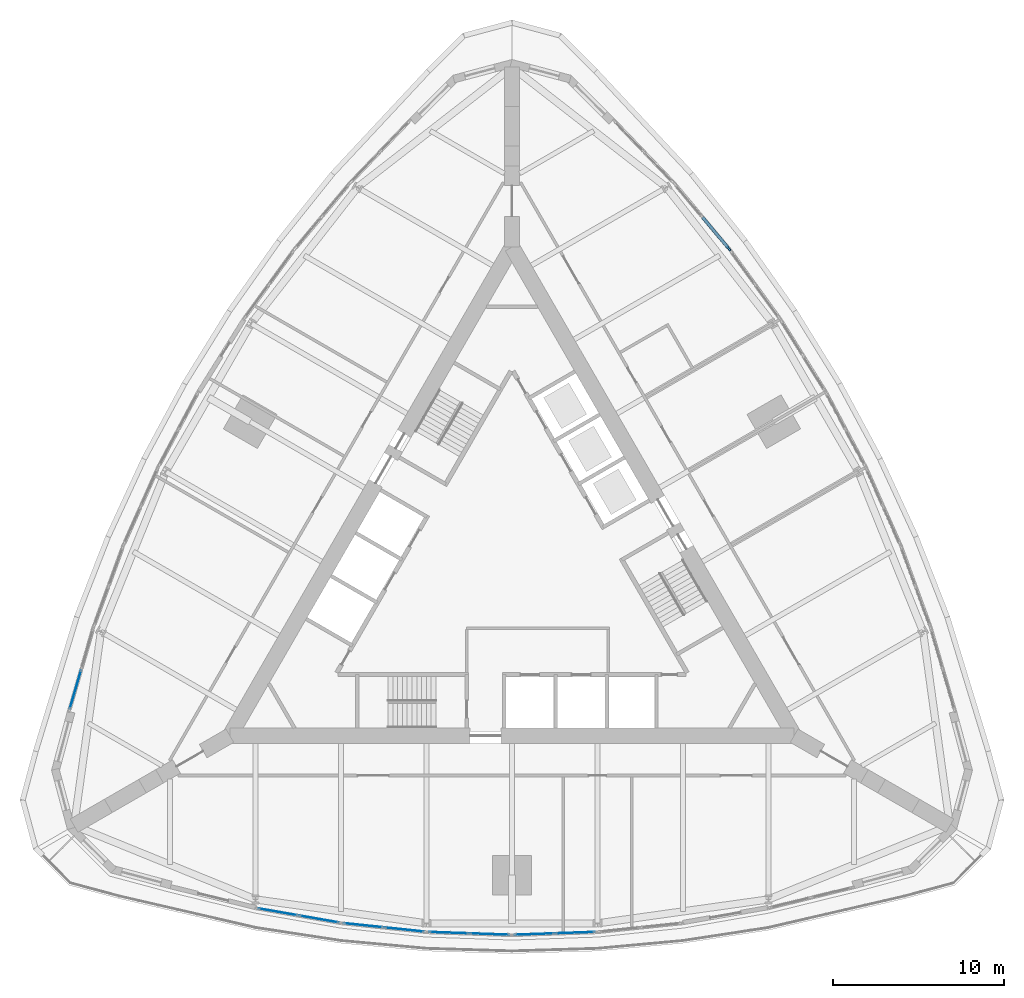
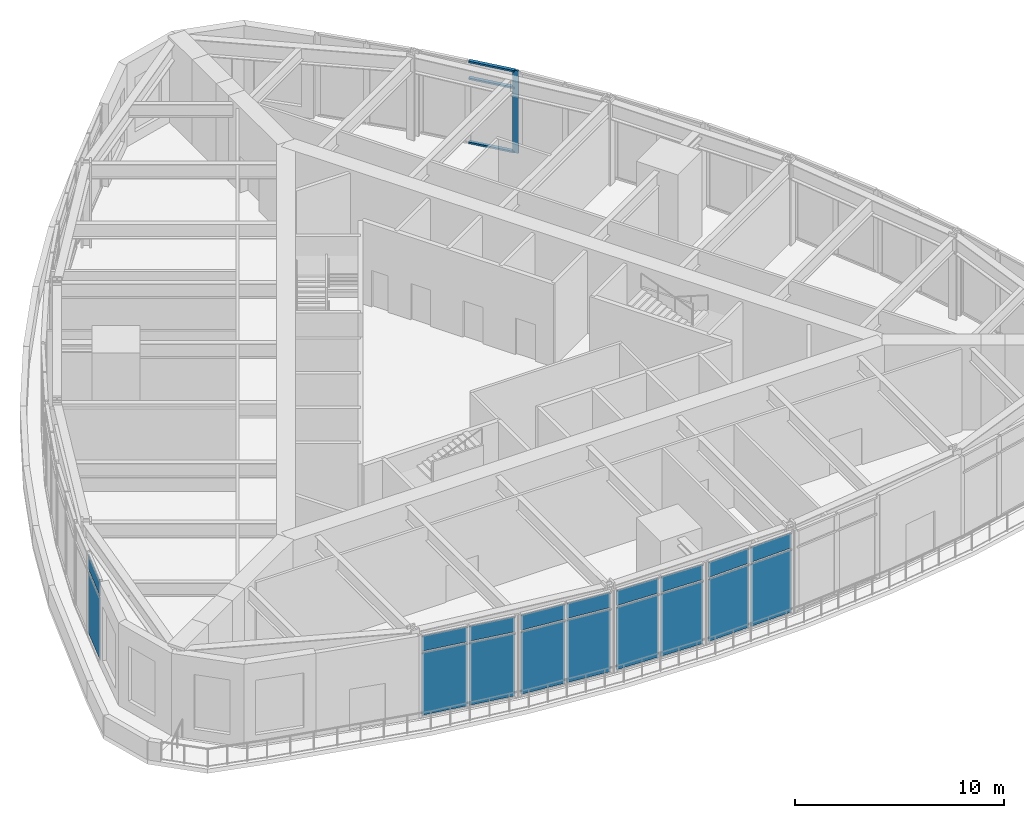
# One storey, part 6 of 14: 18 plates, 4 members, 6 elements without a shape of their own.
"""IFC4 building model written with IfcOpenShell, lengths in metres."""

from ifc_helpers import new_model, si_unit, direction, frame, origin, origin_2d, place, context, subcontext, project, spatial, rectangle, extrude, material, layer, layer_set, material_profile, profile_set, type_object, element, aggregate, save


model = new_model("IFC4")

# Units and contexts
model_context = context("Model", 3, precision=1e-05, world=origin(), true_north=direction((0.0, 1.0)))
body_context = subcontext(model_context, "Body", "Model", "MODEL_VIEW")
ifc_project = project(units=[si_unit("LENGTHUNIT", "METRE"), si_unit("AREAUNIT", "SQUARE_METRE"), si_unit("VOLUMEUNIT", "CUBIC_METRE"), si_unit("PLANEANGLEUNIT", "RADIAN"), si_unit("MASSUNIT", "GRAM", prefix="KILO")], contexts=[model_context])

# Site, building, storey
site_placement = place(None, origin())
site = spatial("IfcSite", under=ifc_project, at=site_placement, CompositionType="ELEMENT")
building_placement = place(site_placement, origin())
building = spatial("IfcBuilding", under=site, at=building_placement, Name="Trikona Tower", CompositionType="ELEMENT")
storey_placement = place(building_placement, frame((0.0, 0.0, 109.699951171875)))
storey = spatial("IfcBuildingStorey", under=building, at=storey_placement, Name="L28", CompositionType="ELEMENT", Elevation=109.699951171875)

# Curtain wall, members
ifc_material_1 = material(Name="Aluminium curtain wall system", Category="aluminium")
curtain_wall_type = type_object("IfcCurtainWallType", Name="Curtain wall SL", PredefinedType="NOTDEFINED", material=ifc_material_1)
curtain_wall_1_placement = place(storey_placement, origin())
curtain_wall_1 = element("IfcCurtainWall", 1, at=curtain_wall_1_placement, inside=storey, type_object=curtain_wall_type, Name="Curtain wall SL L28", PredefinedType="NOTDEFINED")
ifc_material_2 = material(Name="Aluminium mullion, pale anodised", Category="aluminium")
ifc_material_profile_1 = material_profile(ifc_material_2, rectangle(XDim=0.10009765625, YDim=0.300048828125, at=origin_2d()), Name="MUL-SL")
ifc_profile_set_1 = profile_set([ifc_material_profile_1], Name="Aluminium mullion, pale anodised")
member_type_1 = type_object("IfcMemberType", Name="Mullion SL 100x300", PredefinedType="MULLION", material=ifc_profile_set_1)
member_1_placement = place(storey_placement, frame((12.67138671875, 18.968017578125, 0.0), z_axis=(0.0, 0.0, 1.0), x_axis=(-0.766866678271, -0.641806433248, 0.0)))
member_1 = element("IfcMember", 2, at=member_1_placement, type_object=member_type_1, Name="CW-SL mullion 1", PredefinedType="MULLION", context=body_context, shape_type="SweptSolid", body=[
    extrude(rectangle(XDim=0.10009765625, YDim=0.300048828125, at=origin_2d()), origin(), (0.0, 0.0, 1.0), 4.8349609375),
])
ifc_material_3 = material(Name="Aluminium transom, pale anodised", Category="aluminium")
ifc_material_profile_2 = material_profile(ifc_material_3, rectangle(XDim=0.179931640625, YDim=0.10009765625, at=origin_2d()), Name="TRN-SL")
ifc_profile_set_2 = profile_set([ifc_material_profile_2], Name="Aluminium transom, pale anodised")
member_type_2 = type_object("IfcMemberType", Name="Transom SL 100x180", PredefinedType="USERDEFINED", material=ifc_profile_set_2)
member_2_placement = place(storey_placement, frame((12.639404296875, 19.00634765625, 0.050048828125), z_axis=(-0.64178179468, 0.76688729812, 0.0), x_axis=(-0.76688729812, -0.64178179468, 0.0)))
member_2 = element("IfcMember", 3, at=member_2_placement, type_object=member_type_2, Name="CW-SL transom 1.1", ObjectType="TRANSOM", PredefinedType="USERDEFINED", context=body_context, shape_type="SweptSolid", body=[
    extrude(rectangle(XDim=0.179931640625, YDim=0.10009765625, at=origin_2d()), origin(), (0.0, 0.0, 1.0), 2.328125),
])
member_3_placement = place(storey_placement, frame((12.639404296875, 19.00634765625, 3.800048828125), z_axis=(-0.64178179468, 0.76688729812, 0.0), x_axis=(-0.76688729812, -0.64178179468, 0.0)))
member_3 = element("IfcMember", 4, at=member_3_placement, type_object=member_type_2, Name="CW-SL transom 1.2", ObjectType="TRANSOM", PredefinedType="USERDEFINED", context=body_context, shape_type="SweptSolid", body=[
    extrude(rectangle(XDim=0.179931640625, YDim=0.10009765625, at=origin_2d()), origin(), (0.0, 0.0, 1.0), 2.328125),
])
member_4_placement = place(storey_placement, frame((12.639404296875, 19.00634765625, 4.78515625), z_axis=(-0.64178179468, 0.76688729812, 0.0), x_axis=(-0.76688729812, -0.64178179468, 0.0)))
member_4 = element("IfcMember", 5, at=member_4_placement, type_object=member_type_2, Name="CW-SL transom 1.3", ObjectType="TRANSOM", PredefinedType="USERDEFINED", context=body_context, shape_type="SweptSolid", body=[
    extrude(rectangle(XDim=0.179931640625, YDim=0.10009765625, at=origin_2d()), origin(), (0.0, 0.0, 1.0), 2.328125),
])
aggregate(curtain_wall_1, [member_1, member_2, member_3, member_4])

# Curtain wall, plates
curtain_wall_2_placement = place(storey_placement, origin())
curtain_wall_2 = element("IfcCurtainWall", 6, at=curtain_wall_2_placement, inside=storey, type_object=curtain_wall_type, Name="Curtain wall SL L28", PredefinedType="NOTDEFINED")
ifc_material_4 = material(Name="Clear insulating glass unit", Category="glass")
ifc_layer = layer(ifc_material_4, 0.028076171875)
ifc_layer_set = layer_set([ifc_layer], Name="Glass panel SL")
plate_type = type_object("IfcPlateType", Name="Glass panel SL", PredefinedType="CURTAIN_PANEL", material=ifc_layer_set)
plate_1_placement = place(storey_placement, frame((-13.6787109375, -19.829833984375, 0.10009765625), z_axis=(0.0, 0.0, 1.0), x_axis=(0.98502755479, -0.172396973012, 0.0)))
plate_1 = element("IfcPlate", 7, at=plate_1_placement, type_object=plate_type, Name="CW-SL panel 1.1", PredefinedType="CURTAIN_PANEL", context=body_context, shape_type="SweptSolid", body=[
    extrude(rectangle(XDim=2.327880859375, YDim=0.028076171875, at=origin_2d()), origin(), (0.0, 0.0, 1.0), 3.64990234375),
])
plate_2_placement = place(storey_placement, frame((-13.6787109375, -19.829833984375, 3.85009765625), z_axis=(0.0, 0.0, 1.0), x_axis=(0.98502755479, -0.172396973012, 0.0)))
plate_2 = element("IfcPlate", 8, at=plate_2_placement, type_object=plate_type, Name="CW-SL panel 1.2", PredefinedType="CURTAIN_PANEL", context=body_context, shape_type="SweptSolid", body=[
    extrude(rectangle(XDim=2.327880859375, YDim=0.028076171875, at=origin_2d()), origin(), (0.0, 0.0, 1.0), 0.885009765625),
])
plate_3_placement = place(storey_placement, frame((-11.286865234375, -20.24853515625, 0.10009765625), z_axis=(0.0, 0.0, 1.0), x_axis=(0.98502755479, -0.172396973012, 0.0)))
plate_3 = element("IfcPlate", 9, at=plate_3_placement, type_object=plate_type, Name="CW-SL panel 2.1", PredefinedType="CURTAIN_PANEL", context=body_context, shape_type="SweptSolid", body=[
    extrude(rectangle(XDim=2.327880859375, YDim=0.028076171875, at=origin_2d()), origin(), (0.0, 0.0, 1.0), 3.64990234375),
])
plate_4_placement = place(storey_placement, frame((-11.286865234375, -20.24853515625, 3.85009765625), z_axis=(0.0, 0.0, 1.0), x_axis=(0.98502755479, -0.172396973012, 0.0)))
plate_4 = element("IfcPlate", 10, at=plate_4_placement, type_object=plate_type, Name="CW-SL panel 2.2", PredefinedType="CURTAIN_PANEL", context=body_context, shape_type="SweptSolid", body=[
    extrude(rectangle(XDim=2.327880859375, YDim=0.028076171875, at=origin_2d()), origin(), (0.0, 0.0, 1.0), 0.885009765625),
])
aggregate(curtain_wall_2, [plate_1, plate_2, plate_3, plate_4])

curtain_wall_3_placement = place(storey_placement, origin())
curtain_wall_3 = element("IfcCurtainWall", 11, at=curtain_wall_3_placement, inside=storey, type_object=curtain_wall_type, Name="Curtain wall SL L28", PredefinedType="NOTDEFINED")
plate_5_placement = place(storey_placement, frame((-8.684814453125, -20.61279296875, 0.10009765625), z_axis=(0.0, 0.0, 1.0), x_axis=(0.994532105887, -0.104431270982, 0.0)))
plate_5 = element("IfcPlate", 12, at=plate_5_placement, type_object=plate_type, Name="CW-SL panel 1.1", PredefinedType="CURTAIN_PANEL", context=body_context, shape_type="SweptSolid", body=[
    extrude(rectangle(XDim=2.3037109375, YDim=0.028076171875, at=origin_2d()), origin(), (0.0, 0.0, 1.0), 3.64990234375),
])
plate_6_placement = place(storey_placement, frame((-8.684814453125, -20.61279296875, 3.85009765625), z_axis=(0.0, 0.0, 1.0), x_axis=(0.994532105887, -0.104431270982, 0.0)))
plate_6 = element("IfcPlate", 13, at=plate_6_placement, type_object=plate_type, Name="CW-SL panel 1.2", PredefinedType="CURTAIN_PANEL", context=body_context, shape_type="SweptSolid", body=[
    extrude(rectangle(XDim=2.3037109375, YDim=0.028076171875, at=origin_2d()), origin(), (0.0, 0.0, 1.0), 0.885009765625),
])
plate_7_placement = place(storey_placement, frame((-6.294189453125, -20.86376953125, 0.10009765625), z_axis=(0.0, 0.0, 1.0), x_axis=(0.994532105887, -0.104431270982, 0.0)))
plate_7 = element("IfcPlate", 14, at=plate_7_placement, type_object=plate_type, Name="CW-SL panel 2.1", PredefinedType="CURTAIN_PANEL", context=body_context, shape_type="SweptSolid", body=[
    extrude(rectangle(XDim=2.3037109375, YDim=0.028076171875, at=origin_2d()), origin(), (0.0, 0.0, 1.0), 3.64990234375),
])
plate_8_placement = place(storey_placement, frame((-6.294189453125, -20.86376953125, 3.85009765625), z_axis=(0.0, 0.0, 1.0), x_axis=(0.994532105887, -0.104431270982, 0.0)))
plate_8 = element("IfcPlate", 15, at=plate_8_placement, type_object=plate_type, Name="CW-SL panel 2.2", PredefinedType="CURTAIN_PANEL", context=body_context, shape_type="SweptSolid", body=[
    extrude(rectangle(XDim=2.3037109375, YDim=0.028076171875, at=origin_2d()), origin(), (0.0, 0.0, 1.0), 0.885009765625),
])
aggregate(curtain_wall_3, [plate_5, plate_6, plate_7, plate_8])

curtain_wall_4_placement = place(storey_placement, origin())
curtain_wall_4 = element("IfcCurtainWall", 16, at=curtain_wall_4_placement, inside=storey, type_object=curtain_wall_type, Name="Curtain wall SL L28", PredefinedType="NOTDEFINED")
plate_9_placement = place(storey_placement, frame((-3.69140625, -21.0458984375, 0.10009765625), z_axis=(0.0, 0.0, 1.0), x_axis=(0.999388062161, -0.034978582174, 0.0)))
plate_9 = element("IfcPlate", 17, at=plate_9_placement, type_object=plate_type, Name="CW-SL panel 1.1", PredefinedType="CURTAIN_PANEL", context=body_context, shape_type="SweptSolid", body=[
    extrude(rectangle(XDim=2.29150390625, YDim=0.028076171875, at=origin_2d()), origin(), (0.0, 0.0, 1.0), 3.64990234375),
])
plate_10_placement = place(storey_placement, frame((-3.69140625, -21.0458984375, 3.85009765625), z_axis=(0.0, 0.0, 1.0), x_axis=(0.999388062161, -0.034978582174, 0.0)))
plate_10 = element("IfcPlate", 18, at=plate_10_placement, type_object=plate_type, Name="CW-SL panel 1.2", PredefinedType="CURTAIN_PANEL", context=body_context, shape_type="SweptSolid", body=[
    extrude(rectangle(XDim=2.29150390625, YDim=0.028076171875, at=origin_2d()), origin(), (0.0, 0.0, 1.0), 0.885009765625),
])
plate_11_placement = place(storey_placement, frame((-1.301513671875, -21.129638671875, 0.10009765625), z_axis=(0.0, 0.0, 1.0), x_axis=(0.999388062161, -0.034978582174, 0.0)))
plate_11 = element("IfcPlate", 19, at=plate_11_placement, type_object=plate_type, Name="CW-SL panel 2.1", PredefinedType="CURTAIN_PANEL", context=body_context, shape_type="SweptSolid", body=[
    extrude(rectangle(XDim=2.29150390625, YDim=0.028076171875, at=origin_2d()), origin(), (0.0, 0.0, 1.0), 3.64990234375),
])
plate_12_placement = place(storey_placement, frame((-1.301513671875, -21.129638671875, 3.85009765625), z_axis=(0.0, 0.0, 1.0), x_axis=(0.999388062161, -0.034978582174, 0.0)))
plate_12 = element("IfcPlate", 20, at=plate_12_placement, type_object=plate_type, Name="CW-SL panel 2.2", PredefinedType="CURTAIN_PANEL", context=body_context, shape_type="SweptSolid", body=[
    extrude(rectangle(XDim=2.29150390625, YDim=0.028076171875, at=origin_2d()), origin(), (0.0, 0.0, 1.0), 0.885009765625),
])
aggregate(curtain_wall_4, [plate_9, plate_10, plate_11, plate_12])

curtain_wall_5_placement = place(storey_placement, origin())
curtain_wall_5 = element("IfcCurtainWall", 21, at=curtain_wall_5_placement, inside=storey, type_object=curtain_wall_type, Name="Curtain wall SL L28", PredefinedType="NOTDEFINED")
plate_13_placement = place(storey_placement, frame((1.301513671875, -21.129638671875, 0.10009765625), z_axis=(0.0, 0.0, 1.0), x_axis=(0.999388062161, 0.034978582174, 0.0)))
plate_13 = element("IfcPlate", 22, at=plate_13_placement, type_object=plate_type, Name="CW-SL panel 1.1", PredefinedType="CURTAIN_PANEL", context=body_context, shape_type="SweptSolid", body=[
    extrude(rectangle(XDim=2.29150390625, YDim=0.028076171875, at=origin_2d()), origin(), (0.0, 0.0, 1.0), 3.64990234375),
])
plate_14_placement = place(storey_placement, frame((1.301513671875, -21.129638671875, 3.85009765625), z_axis=(0.0, 0.0, 1.0), x_axis=(0.999388062161, 0.034978582174, 0.0)))
plate_14 = element("IfcPlate", 23, at=plate_14_placement, type_object=plate_type, Name="CW-SL panel 1.2", PredefinedType="CURTAIN_PANEL", context=body_context, shape_type="SweptSolid", body=[
    extrude(rectangle(XDim=2.29150390625, YDim=0.028076171875, at=origin_2d()), origin(), (0.0, 0.0, 1.0), 0.885009765625),
])
plate_15_placement = place(storey_placement, frame((3.69140625, -21.0458984375, 0.10009765625), z_axis=(0.0, 0.0, 1.0), x_axis=(0.999388062161, 0.034978582174, 0.0)))
plate_15 = element("IfcPlate", 24, at=plate_15_placement, type_object=plate_type, Name="CW-SL panel 2.1", PredefinedType="CURTAIN_PANEL", context=body_context, shape_type="SweptSolid", body=[
    extrude(rectangle(XDim=2.29150390625, YDim=0.028076171875, at=origin_2d()), origin(), (0.0, 0.0, 1.0), 3.64990234375),
])
plate_16_placement = place(storey_placement, frame((3.69140625, -21.0458984375, 3.85009765625), z_axis=(0.0, 0.0, 1.0), x_axis=(0.999388062161, 0.034978582174, 0.0)))
plate_16 = element("IfcPlate", 25, at=plate_16_placement, type_object=plate_type, Name="CW-SL panel 2.2", PredefinedType="CURTAIN_PANEL", context=body_context, shape_type="SweptSolid", body=[
    extrude(rectangle(XDim=2.29150390625, YDim=0.028076171875, at=origin_2d()), origin(), (0.0, 0.0, 1.0), 0.885009765625),
])
aggregate(curtain_wall_5, [plate_13, plate_14, plate_15, plate_16])

curtain_wall_6_placement = place(storey_placement, origin())
curtain_wall_6 = element("IfcCurtainWall", 26, at=curtain_wall_6_placement, inside=storey, type_object=curtain_wall_type, Name="Curtain wall SL L28", PredefinedType="NOTDEFINED")
plate_17_placement = place(storey_placement, frame((-25.52880859375, -6.822265625, 0.10009765625), z_axis=(0.0, 0.0, 1.0), x_axis=(-0.2795485861, -0.960131547242, 0.0)))
plate_17 = element("IfcPlate", 27, at=plate_17_placement, type_object=plate_type, Name="CW-SL panel 2.1", PredefinedType="CURTAIN_PANEL", context=body_context, shape_type="SweptSolid", body=[
    extrude(rectangle(XDim=2.36376953125, YDim=0.028076171875, at=origin_2d()), origin(), (0.0, 0.0, 1.0), 3.64990234375),
])
plate_18_placement = place(storey_placement, frame((-25.52880859375, -6.822265625, 3.85009765625), z_axis=(0.0, 0.0, 1.0), x_axis=(-0.2795485861, -0.960131547242, 0.0)))
plate_18 = element("IfcPlate", 28, at=plate_18_placement, type_object=plate_type, Name="CW-SL panel 2.2", PredefinedType="CURTAIN_PANEL", context=body_context, shape_type="SweptSolid", body=[
    extrude(rectangle(XDim=2.36376953125, YDim=0.028076171875, at=origin_2d()), origin(), (0.0, 0.0, 1.0), 0.885009765625),
])
aggregate(curtain_wall_6, [plate_17, plate_18])

save(model, "model.ifc")
